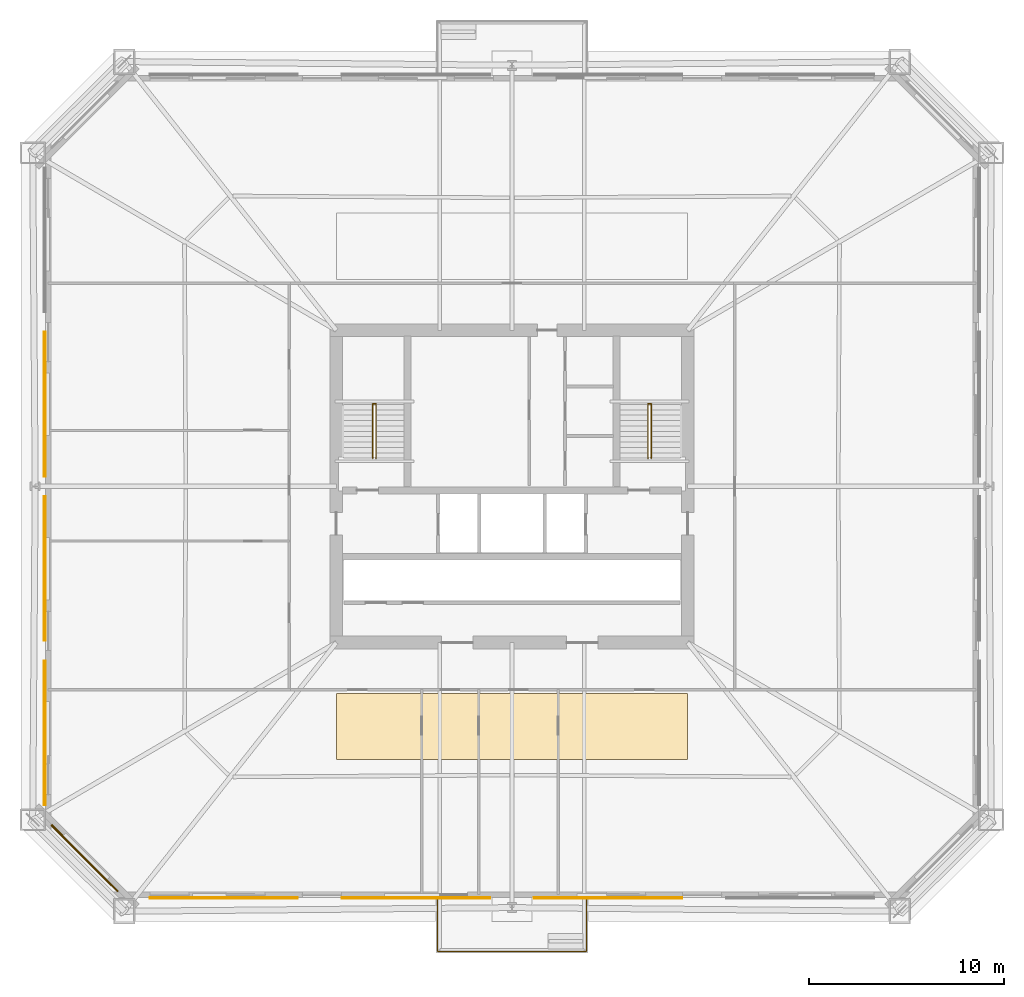
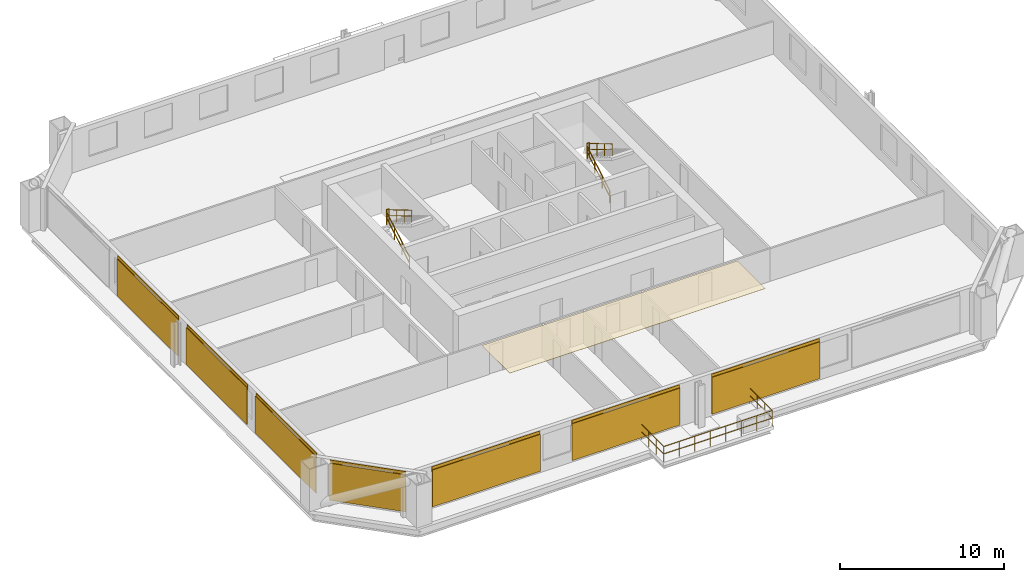
# One storey, part 7 of 8: 8 coverings, 7 railings, 7 shading devices.
"""IFC4 building model written with IfcOpenShell, lengths in metres."""

from ifc_helpers import new_model, si_unit, direction, frame, origin, origin_2d, place, context, subcontext, project, spatial, polyline, rectangle, circle, outline, extrude, material, layer, layer_set, type_object, element, save


model = new_model("IFC4")

# Units and contexts
model_context = context("Model", 3, precision=1e-05, world=origin(), true_north=direction((0.0, 1.0)))
body_context = subcontext(model_context, "Body", "Model", "MODEL_VIEW")
ifc_project = project(units=[si_unit("LENGTHUNIT", "METRE"), si_unit("AREAUNIT", "SQUARE_METRE"), si_unit("VOLUMEUNIT", "CUBIC_METRE"), si_unit("PLANEANGLEUNIT", "RADIAN"), si_unit("MASSUNIT", "GRAM", prefix="KILO")], contexts=[model_context])

# Site, building, storey
site_placement = place(None, origin())
site = spatial("IfcSite", under=ifc_project, at=site_placement, CompositionType="ELEMENT")
building_placement = place(site_placement, origin())
building = spatial("IfcBuilding", under=site, at=building_placement, Name="Caelvoria Tower", CompositionType="ELEMENT")
storey_placement = place(building_placement, frame((0.0, 0.0, 42.39990234375)))
storey = spatial("IfcBuildingStorey", under=building, at=storey_placement, Name="L10", CompositionType="ELEMENT", Elevation=42.39990234375)

# Railing
ifc_material_1 = material(Name="Bronze Anodised Aluminium and Stainless Steel", Category="steel")
railing_type_1 = type_object("IfcRailingType", Name="Exterior Terrace and Balcony Guardrail 1150", PredefinedType="GUARDRAIL", material=ifc_material_1)
railing_1_placement = place(storey_placement, frame((42.179931640625, 10.93994140625, 0.0)))
element("IfcRailing", 1, at=railing_1_placement, inside=storey, type_object=railing_type_1, Name="Tree Balcony Guardrail TB-L10-S", PredefinedType="GUARDRAIL", context=body_context, shape_type="SweptSolid", body=[
    extrude(circle(Radius=0.02392578125, at=origin_2d()), frame((0.0, 0.0, 1.1259765625), z_axis=(0.0, -1.0, 0.0), x_axis=(1.0, 0.0, 0.0)), (0.0, 0.0, 1.0), 2.760009765625),
    extrude(circle(Radius=0.02392578125, at=origin_2d()), frame((0.0, 0.0, 0.574951171875), z_axis=(0.0, -1.0, 0.0), x_axis=(1.0, 0.0, 0.0)), (0.0, 0.0, 1.0), 2.760009765625),
    extrude(circle(Radius=0.02392578125, at=origin_2d()), frame((0.0, -2.760009765625, 1.1259765625), z_axis=(1.0, 0.0, 0.0), x_axis=(0.0, 1.0, 0.0)), (0.0, 0.0, 1.0), 7.64013671875),
    extrude(circle(Radius=0.02392578125, at=origin_2d()), frame((0.0, -2.760009765625, 0.574951171875), z_axis=(1.0, 0.0, 0.0), x_axis=(0.0, 1.0, 0.0)), (0.0, 0.0, 1.0), 7.64013671875),
    extrude(circle(Radius=0.02392578125, at=origin_2d()), frame((7.64013671875, -2.760009765625, 1.1259765625), z_axis=(0.0, 1.0, 0.0), x_axis=(-1.0, 0.0, 0.0)), (0.0, 0.0, 1.0), 2.760009765625),
    extrude(circle(Radius=0.02392578125, at=origin_2d()), frame((7.64013671875, -2.760009765625, 0.574951171875), z_axis=(0.0, 1.0, 0.0), x_axis=(-1.0, 0.0, 0.0)), (0.0, 0.0, 1.0), 2.760009765625),
    extrude(circle(Radius=0.02099609375, at=origin_2d()), origin(), (0.0, 0.0, 1.0), 1.101806640625),
    extrude(circle(Radius=0.02099609375, at=origin_2d()), frame((0.0, -0.919921875, 0.0)), (0.0, 0.0, 1.0), 1.101806640625),
    extrude(circle(Radius=0.02099609375, at=origin_2d()), frame((0.0, -1.840087890625, 0.0)), (0.0, 0.0, 1.0), 1.101806640625),
    extrude(circle(Radius=0.02099609375, at=origin_2d()), frame((0.0, -2.760009765625, 0.0)), (0.0, 0.0, 1.0), 1.101806640625),
    extrude(circle(Radius=0.02099609375, at=origin_2d()), frame((1.091552734375, -2.760009765625, 0.0)), (0.0, 0.0, 1.0), 1.101806640625),
    extrude(circle(Radius=0.02099609375, at=origin_2d()), frame((2.182861328125, -2.760009765625, 0.0)), (0.0, 0.0, 1.0), 1.101806640625),
    extrude(circle(Radius=0.02099609375, at=origin_2d()), frame((3.2744140625, -2.760009765625, 0.0)), (0.0, 0.0, 1.0), 1.101806640625),
    extrude(circle(Radius=0.02099609375, at=origin_2d()), frame((4.36572265625, -2.760009765625, 0.0)), (0.0, 0.0, 1.0), 1.101806640625),
    extrude(circle(Radius=0.02099609375, at=origin_2d()), frame((5.457275390625, -2.760009765625, 0.0)), (0.0, 0.0, 1.0), 1.101806640625),
    extrude(circle(Radius=0.02099609375, at=origin_2d()), frame((6.548583984375, -2.760009765625, 0.0)), (0.0, 0.0, 1.0), 1.101806640625),
    extrude(circle(Radius=0.02099609375, at=origin_2d()), frame((7.64013671875, -2.760009765625, 0.0)), (0.0, 0.0, 1.0), 1.101806640625),
    extrude(circle(Radius=0.02099609375, at=origin_2d()), frame((7.64013671875, -1.840087890625, 0.0)), (0.0, 0.0, 1.0), 1.101806640625),
    extrude(circle(Radius=0.02099609375, at=origin_2d()), frame((7.64013671875, -0.919921875, 0.0)), (0.0, 0.0, 1.0), 1.101806640625),
    extrude(circle(Radius=0.02099609375, at=origin_2d()), frame((7.64013671875, 0.0, 0.0)), (0.0, 0.0, 1.0), 1.101806640625),
])

# Coverings
ifc_material_2 = material(Name="Acoustic Mineral Fibre Tile", Category="gypsum")
ifc_layer_1 = layer(ifc_material_2, 0.02490234375, Name="Acoustic Mineral Fibre Tile")
ifc_layer_set_1 = layer_set([ifc_layer_1], Name="Mineral-Fibre Acoustic Suspended Ceiling 25 - Acoustic Mineral Fibre Tile")
covering_type_1 = type_object("IfcCoveringType", Name="Mineral-Fibre Acoustic Suspended Ceiling 25", PredefinedType="CEILING", material=ifc_layer_set_1)
covering_1_placement = place(storey_placement, frame((0.0, 0.0, 2.425048828125)))
element("IfcCovering", 2, at=covering_1_placement, inside=storey, type_object=covering_type_1, Name="Suspended Acoustic Ceiling L10", PredefinedType="CEILING", context=body_context, shape_type="SweptSolid", body=[
    extrude(outline(polyline([(37.0, 18.0), (55.0, 18.0), (55.0, 21.39990234375), (37.0, 21.39990234375), (37.0, 18.0)])), origin(), (0.0, 0.0, 1.0), 0.025146484375),
])
ifc_material_3 = material(Name="Perforated Architectural Bronze Cladding Screen", Category="bronze")
ifc_layer_2 = layer(ifc_material_3, 0.0400390625, Name="Perforated Architectural Bronze Cladding Screen")
ifc_layer_set_2 = layer_set([ifc_layer_2], Name="Perforated Bronze Louvre Cladding Band 40 - Perforated Architectural Bronze Cladding Screen")
covering_type_2 = type_object("IfcCoveringType", Name="Perforated Bronze Louvre Cladding Band 40", PredefinedType="CLADDING", material=ifc_layer_set_2)
for number, where, z_axis, x_axis, name in (
    (3, (31.232421875, 10.927978515625, 2.730224609375), (0.0, 0.0, 1.0), (1.0, 0.0, 0.0), "Perforated Bronze Screen Band L10-E0-00"),
    (4, (41.077392578125, 10.927978515625, 2.730224609375), (0.0, 0.0, 1.0), (1.0, 0.0, 0.0), "Perforated Bronze Screen Band L10-E0-01"),
    (5, (50.922607421875, 10.927978515625, 2.730224609375), (0.0, 0.0, 1.0), (1.0, 0.0, 0.0), "Perforated Bronze Screen Band L10-E0-02"),
):
    element("IfcCovering", number, at=place(storey_placement, frame(where, z_axis=z_axis, x_axis=x_axis)), inside=storey, type_object=covering_type_2, Name=name, PredefinedType="CLADDING", context=body_context, shape_type="SweptSolid", body=[
        extrude(rectangle(XDim=7.60009765625, YDim=0.0400390625, at=origin_2d()), origin(), (0.0, 0.0, 1.0), 0.39990234375),
    ])
for number, where, z_axis, x_axis, name in (
    (6, (22.077880859375, 36.2099609375, 2.730224609375), (0.0, 0.0, 1.0), (0.0, -1.0, 0.0), "Perforated Bronze Screen Band L10-E6-01"),
    (7, (22.077880859375, 27.7900390625, 2.730224609375), (0.0, 0.0, 1.0), (0.0, -1.0, 0.0), "Perforated Bronze Screen Band L10-E6-02"),
    (8, (22.077880859375, 19.3701171875, 2.730224609375), (0.0, 0.0, 1.0), (0.0, -1.0, 0.0), "Perforated Bronze Screen Band L10-E6-03"),
):
    element("IfcCovering", number, at=place(storey_placement, frame(where, z_axis=z_axis, x_axis=x_axis)), inside=storey, type_object=covering_type_2, Name=name, PredefinedType="CLADDING", context=body_context, shape_type="SweptSolid", body=[
        extrude(rectangle(XDim=7.40966796875, YDim=0.0400390625, at=origin_2d()), origin(), (0.0, 0.0, 1.0), 0.39990234375),
    ])
covering_2_placement = place(storey_placement, frame((24.118408203125, 12.96826171875, 2.730224609375), z_axis=(0.0, 0.0, 1.0), x_axis=(0.707106781187, -0.707106781187, 0.0)))
element("IfcCovering", 9, at=covering_2_placement, inside=storey, type_object=covering_type_2, Name="Perforated Bronze Screen Band L10-E7-00", PredefinedType="CLADDING", context=body_context, shape_type="SweptSolid", body=[
    extrude(rectangle(XDim=4.81201171875, YDim=0.0400390625, at=origin_2d()), origin(), (0.0, 0.0, 1.0), 0.39990234375),
])

# Shading devices
ifc_material_4 = material(Name="Perforated Architectural Bronze Alloy Panel", Category="bronze")
ifc_layer_3 = layer(ifc_material_4, 0.044921875, Name="Perforated Architectural Bronze Alloy Panel")
ifc_layer_set_3 = layer_set([ifc_layer_3], Name="Perforated Bronze Solar Screen Panel SCREEN - Perforated Architectural Bronze Alloy Panel")
shading_device_type = type_object("IfcShadingDeviceType", Name="Perforated Bronze Solar Screen Panel SCREEN", PredefinedType="USERDEFINED", material=ifc_layer_set_3)
for number, where, z_axis, x_axis, name in (
    (10, (31.232421875, 10.885009765625, 0.16015625), (0.0, 0.0, 1.0), (1.0, 0.0, 0.0), "Perforated Bronze Solar Screen L10-E0-00"),
    (11, (41.077392578125, 10.885009765625, 0.16015625), (0.0, 0.0, 1.0), (1.0, 0.0, 0.0), "Perforated Bronze Solar Screen L10-E0-01"),
    (12, (50.922607421875, 10.885009765625, 0.16015625), (0.0, 0.0, 1.0), (1.0, 0.0, 0.0), "Perforated Bronze Solar Screen L10-E0-02"),
):
    element("IfcShadingDevice", number, at=place(storey_placement, frame(where, z_axis=z_axis, x_axis=x_axis)), inside=storey, type_object=shading_device_type, Name=name, ObjectType="SCREEN", PredefinedType="USERDEFINED", context=body_context, shape_type="SweptSolid", body=[
        extrude(rectangle(XDim=7.60009765625, YDim=0.044921875, at=origin_2d()), origin(), (0.0, 0.0, 1.0), 2.75),
    ])
for number, where, z_axis, x_axis, name in (
    (13, (22.034912109375, 36.2099609375, 0.16015625), (0.0, 0.0, 1.0), (0.0, -1.0, 0.0), "Perforated Bronze Solar Screen L10-E6-01"),
    (14, (22.034912109375, 27.7900390625, 0.16015625), (0.0, 0.0, 1.0), (0.0, -1.0, 0.0), "Perforated Bronze Solar Screen L10-E6-02"),
    (15, (22.034912109375, 19.3701171875, 0.16015625), (0.0, 0.0, 1.0), (0.0, -1.0, 0.0), "Perforated Bronze Solar Screen L10-E6-03"),
):
    element("IfcShadingDevice", number, at=place(storey_placement, frame(where, z_axis=z_axis, x_axis=x_axis)), inside=storey, type_object=shading_device_type, Name=name, ObjectType="SCREEN", PredefinedType="USERDEFINED", context=body_context, shape_type="SweptSolid", body=[
        extrude(rectangle(XDim=7.40966796875, YDim=0.044921875, at=origin_2d()), origin(), (0.0, 0.0, 1.0), 2.75),
    ])
shading_device_placement = place(storey_placement, frame((24.087890625, 12.93798828125, 0.16015625), z_axis=(0.0, 0.0, 1.0), x_axis=(0.707106781187, -0.707106781187, 0.0)))
element("IfcShadingDevice", 16, at=shading_device_placement, inside=storey, type_object=shading_device_type, Name="Perforated Bronze Solar Screen L10-E7-00", ObjectType="SCREEN", PredefinedType="USERDEFINED", context=body_context, shape_type="SweptSolid", body=[
    extrude(rectangle(XDim=4.81201171875, YDim=0.044921875, at=origin_2d()), origin(), (0.0, 0.0, 1.0), 2.75),
])

# Railings
ifc_material_5 = material(Name="Brushed Stainless Steel Tube", Category="steel")
railing_type_2 = type_object("IfcRailingType", Name="Stair Tubular Stainless Handrail 920", PredefinedType="HANDRAIL", material=ifc_material_5)
railing_2_placement = place(storey_placement, frame((38.8701171875, 33.449951171875, 0.163818359375)))
element("IfcRailing", 17, at=railing_2_placement, inside=storey, type_object=railing_type_2, Name="ST-01 Flight 1 Handrail L10", PredefinedType="HANDRAIL", context=body_context, shape_type="SweptSolid", body=[
    extrude(circle(Radius=0.02392578125, at=origin_2d()), frame((0.0, 0.0, 0.89599609375), z_axis=(0.0, 0.859385484447, 0.511328259656), x_axis=(-1.0, 0.0, 0.0)), (0.0, 0.0, 1.0), 3.199951171875),
    extrude(circle(Radius=0.02392578125, at=origin_2d()), frame((0.0, 0.0, 0.4599609375), z_axis=(0.0, 0.859385484447, 0.511328259656), x_axis=(-1.0, 0.0, 0.0)), (0.0, 0.0, 1.0), 3.199951171875),
    extrude(circle(Radius=0.02099609375, at=origin_2d()), origin(), (0.0, 0.0, 1.0), 0.871826171875),
    extrude(circle(Radius=0.02099609375, at=origin_2d()), frame((0.0, 0.916748046875, 0.54541015625)), (0.0, 0.0, 1.0), 0.871826171875),
    extrude(circle(Radius=0.02099609375, at=origin_2d()), frame((0.0, 1.833251953125, 1.0908203125)), (0.0, 0.0, 1.0), 0.871826171875),
    extrude(circle(Radius=0.02099609375, at=origin_2d()), frame((0.0, 2.75, 1.63623046875)), (0.0, 0.0, 1.0), 0.871826171875),
])
railing_3_placement = place(storey_placement, frame((39.030029296875, 36.199951171875, 1.963623046875)))
element("IfcRailing", 18, at=railing_3_placement, inside=storey, type_object=railing_type_2, Name="ST-01 Flight 2 Handrail L10", PredefinedType="HANDRAIL", context=body_context, shape_type="SweptSolid", body=[
    extrude(circle(Radius=0.02392578125, at=origin_2d()), frame((0.0, 0.0, 0.89599609375), z_axis=(0.0, -0.859351957796, 0.511384603436), x_axis=(1.0, 0.0, 0.0)), (0.0, 0.0, 1.0), 3.2001953125),
    extrude(circle(Radius=0.02392578125, at=origin_2d()), frame((0.0, 0.0, 0.4599609375), z_axis=(0.0, -0.859351957796, 0.511384603436), x_axis=(1.0, 0.0, 0.0)), (0.0, 0.0, 1.0), 3.2001953125),
    extrude(circle(Radius=0.02099609375, at=origin_2d()), origin(), (0.0, 0.0, 1.0), 0.871826171875),
    extrude(circle(Radius=0.02099609375, at=origin_2d()), frame((0.0, -0.916748046875, 0.54541015625)), (0.0, 0.0, 1.0), 0.871826171875),
    extrude(circle(Radius=0.02099609375, at=origin_2d()), frame((0.0, -1.833251953125, 1.091064453125)), (0.0, 0.0, 1.0), 0.871826171875),
    extrude(circle(Radius=0.02099609375, at=origin_2d()), frame((0.0, -2.75, 1.636474609375)), (0.0, 0.0, 1.0), 0.871826171875),
])
railing_4_placement = place(storey_placement, frame((52.969970703125, 33.449951171875, 0.163818359375)))
element("IfcRailing", 19, at=railing_4_placement, inside=storey, type_object=railing_type_2, Name="ST-02 Flight 1 Handrail L10", PredefinedType="HANDRAIL", context=body_context, shape_type="SweptSolid", body=[
    extrude(circle(Radius=0.02392578125, at=origin_2d()), frame((0.0, 0.0, 0.89599609375), z_axis=(0.0, 0.859385484447, 0.511328259656), x_axis=(-1.0, 0.0, 0.0)), (0.0, 0.0, 1.0), 3.199951171875),
    extrude(circle(Radius=0.02392578125, at=origin_2d()), frame((0.0, 0.0, 0.4599609375), z_axis=(0.0, 0.859385484447, 0.511328259656), x_axis=(-1.0, 0.0, 0.0)), (0.0, 0.0, 1.0), 3.199951171875),
    extrude(circle(Radius=0.02099609375, at=origin_2d()), origin(), (0.0, 0.0, 1.0), 0.871826171875),
    extrude(circle(Radius=0.02099609375, at=origin_2d()), frame((0.0, 0.916748046875, 0.54541015625)), (0.0, 0.0, 1.0), 0.871826171875),
    extrude(circle(Radius=0.02099609375, at=origin_2d()), frame((0.0, 1.833251953125, 1.0908203125)), (0.0, 0.0, 1.0), 0.871826171875),
    extrude(circle(Radius=0.02099609375, at=origin_2d()), frame((0.0, 2.75, 1.63623046875)), (0.0, 0.0, 1.0), 0.871826171875),
])
railing_5_placement = place(storey_placement, frame((53.1298828125, 36.199951171875, 1.963623046875)))
element("IfcRailing", 20, at=railing_5_placement, inside=storey, type_object=railing_type_2, Name="ST-02 Flight 2 Handrail L10", PredefinedType="HANDRAIL", context=body_context, shape_type="SweptSolid", body=[
    extrude(circle(Radius=0.02392578125, at=origin_2d()), frame((0.0, 0.0, 0.89599609375), z_axis=(0.0, -0.859351957796, 0.511384603436), x_axis=(1.0, 0.0, 0.0)), (0.0, 0.0, 1.0), 3.2001953125),
    extrude(circle(Radius=0.02392578125, at=origin_2d()), frame((0.0, 0.0, 0.4599609375), z_axis=(0.0, -0.859351957796, 0.511384603436), x_axis=(1.0, 0.0, 0.0)), (0.0, 0.0, 1.0), 3.2001953125),
    extrude(circle(Radius=0.02099609375, at=origin_2d()), origin(), (0.0, 0.0, 1.0), 0.871826171875),
    extrude(circle(Radius=0.02099609375, at=origin_2d()), frame((0.0, -0.916748046875, 0.54541015625)), (0.0, 0.0, 1.0), 0.871826171875),
    extrude(circle(Radius=0.02099609375, at=origin_2d()), frame((0.0, -1.833251953125, 1.091064453125)), (0.0, 0.0, 1.0), 0.871826171875),
    extrude(circle(Radius=0.02099609375, at=origin_2d()), frame((0.0, -2.75, 1.636474609375)), (0.0, 0.0, 1.0), 0.871826171875),
])
ifc_material_6 = material(Name="Brushed Stainless Steel Guardrail", Category="steel")
railing_type_3 = type_object("IfcRailingType", Name="Stair Well and Ramp Guardrail 1120", PredefinedType="GUARDRAIL", material=ifc_material_6)
for number, where, name in (
    (21, (38.8701171875, 36.239990234375, 1.800048828125), "ST-01 Half-Landing Well Guard L10"),
    (22, (52.969970703125, 36.239990234375, 1.800048828125), "ST-02 Half-Landing Well Guard L10"),
):
    element("IfcRailing", number, at=place(storey_placement, frame(where)), inside=storey, type_object=railing_type_3, Name=name, PredefinedType="GUARDRAIL", context=body_context, shape_type="SweptSolid", body=[
        extrude(circle(Radius=0.02392578125, at=origin_2d()), frame((0.0, 0.0, 1.09619140625), z_axis=(1.0, 0.0, 0.0), x_axis=(0.0, 1.0, 0.0)), (0.0, 0.0, 1.0), 0.159912109375),
        extrude(circle(Radius=0.02392578125, at=origin_2d()), frame((0.0, 0.0, 0.56005859375), z_axis=(1.0, 0.0, 0.0), x_axis=(0.0, 1.0, 0.0)), (0.0, 0.0, 1.0), 0.159912109375),
        extrude(circle(Radius=0.02099609375, at=origin_2d()), origin(), (0.0, 0.0, 1.0), 1.072021484375),
        extrude(circle(Radius=0.02099609375, at=origin_2d()), frame((0.159912109375, 0.0, 0.0)), (0.0, 0.0, 1.0), 1.072021484375),
    ])

save(model, "model.ifc")
